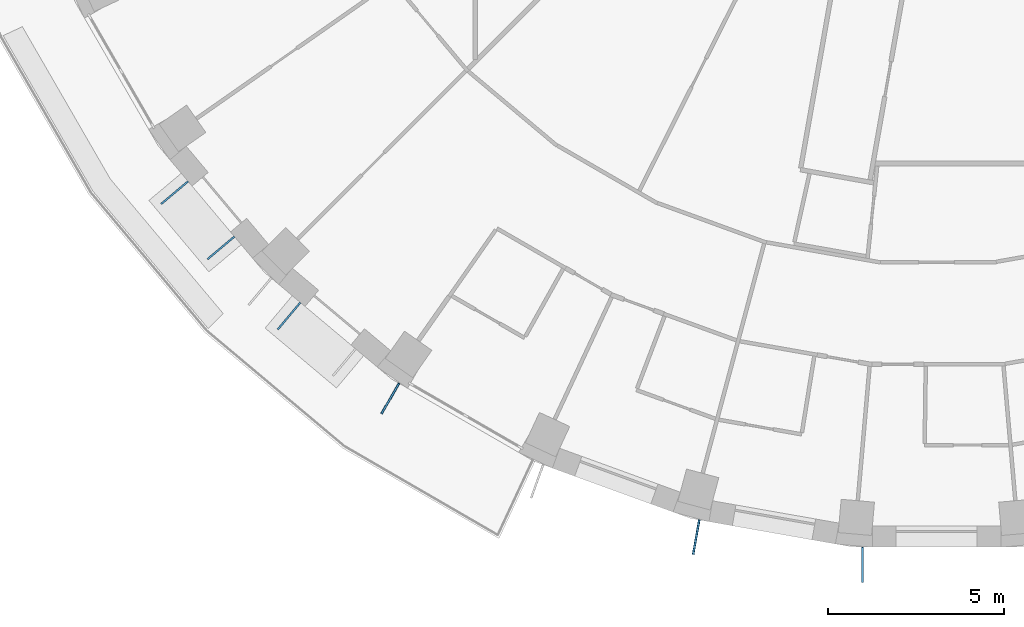
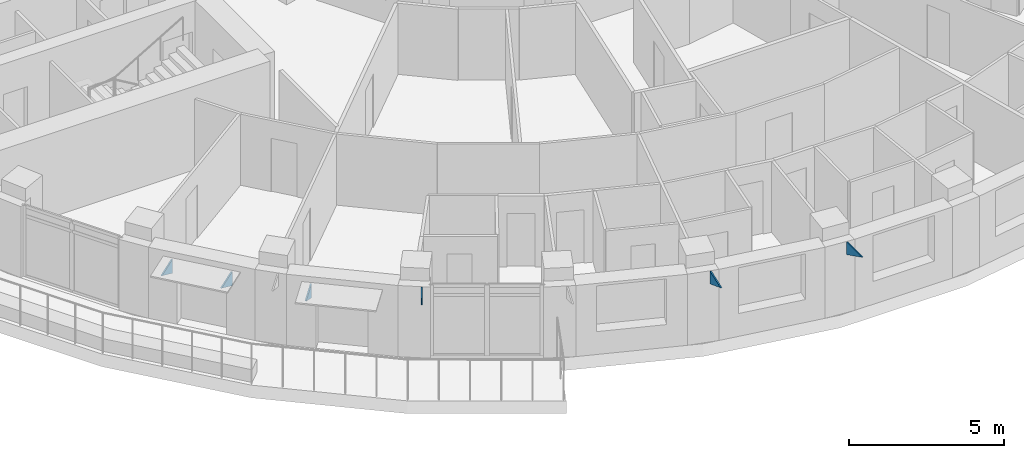
# One storey, part 15 of 16: 6 discrete accessories.
"""IFC4 building model written with IfcOpenShell, lengths in metres."""

from ifc_helpers import new_model, si_unit, direction, frame, origin, place, context, subcontext, project, spatial, polyline, outline, extrude, material, layer, layer_set, type_object, element, save


model = new_model("IFC4")

# Units and contexts
model_context = context("Model", 3, precision=1e-05, world=origin(), true_north=direction((0.0, 1.0)))
body_context = subcontext(model_context, "Body", "Model", "MODEL_VIEW")
ifc_project = project(units=[si_unit("LENGTHUNIT", "METRE"), si_unit("AREAUNIT", "SQUARE_METRE"), si_unit("VOLUMEUNIT", "CUBIC_METRE"), si_unit("PLANEANGLEUNIT", "RADIAN"), si_unit("MASSUNIT", "GRAM", prefix="KILO")], contexts=[model_context])

# Site, building, storey
site_placement = place(None, origin())
site = spatial("IfcSite", under=ifc_project, at=site_placement, CompositionType="ELEMENT")
building_placement = place(site_placement, origin())
building = spatial("IfcBuilding", under=site, at=building_placement, Name="Saqina Gate Tower", CompositionType="ELEMENT")
storey_placement = place(building_placement, frame((0.0, 0.0, 128.199951171875)))
storey = spatial("IfcBuildingStorey", under=building, at=storey_placement, Name="L36", CompositionType="ELEMENT", Elevation=128.199951171875)

# Discrete accessories
ifc_material_1 = material(Name="Galvanised steel", Category="steel")
ifc_layer_1 = layer(ifc_material_1, 0.050048828125)
ifc_layer_set_1 = layer_set([ifc_layer_1], Name="BR-AWNING")
discrete_accessory_type_1 = type_object("IfcDiscreteAccessoryType", Name="BR-AWNING", PredefinedType="BRACKET", material=ifc_layer_set_1)
discrete_accessory_1_placement = place(storey_placement, frame((-21.24658203125, -16.52392578125, 1.97509765625), z_axis=(0.64277405138, -0.766055819685, 0.0), x_axis=(0.0, 0.0, 1.0)))
element("IfcDiscreteAccessory", 1, at=discrete_accessory_1_placement, inside=storey, type_object=discrete_accessory_type_1, Name="Awning bracket L36 facet 22", PredefinedType="BRACKET", context=body_context, shape_type="SweptSolid", body=[
    extrude(outline(polyline([(0.0, 0.0), (0.550048828125, 0.0), (0.550048828125, 1.0000750096322273), (0.0, 0.0)])), origin(), (0.0, 0.0, -1.0), 0.050048828125),
])
discrete_accessory_2_placement = place(storey_placement, frame((-19.930419921875, -18.0927734375, 1.97509765625), z_axis=(0.642894271969, -0.765954930181, 0.0), x_axis=(0.0, 0.0, 1.0)))
element("IfcDiscreteAccessory", 2, at=discrete_accessory_2_placement, inside=storey, type_object=discrete_accessory_type_1, Name="Awning bracket L36 facet 22", PredefinedType="BRACKET", context=body_context, shape_type="SweptSolid", body=[
    extrude(outline(polyline([(0.0, 0.0), (0.550048828125, 0.0), (0.550048828125, 0.9998879966000863), (0.0, 0.0)])), origin(), (0.0, 0.0, -1.0), 0.050048828125),
])
discrete_accessory_3_placement = place(storey_placement, frame((-18.054443359375, -19.96240234375, 1.97509765625), z_axis=(0.766055819685, -0.64277405138, 0.0), x_axis=(0.0, 0.0, 1.0)))
element("IfcDiscreteAccessory", 3, at=discrete_accessory_3_placement, inside=storey, type_object=discrete_accessory_type_1, Name="Awning bracket L36 facet 23", PredefinedType="BRACKET", context=body_context, shape_type="SweptSolid", body=[
    extrude(outline(polyline([(0.0, 0.0), (0.550048828125, 0.0), (0.550048828125, 1.0000750096322273), (0.0, 0.0)])), origin(), (0.0, 0.0, -1.0), 0.050048828125),
])
ifc_material_2 = material(Name="Galvanised steel", Category="steel")
ifc_layer_2 = layer(ifc_material_2, 0.050048828125)
ifc_layer_set_2 = layer_set([ifc_layer_2], Name="BR-GUSSET")
discrete_accessory_type_2 = type_object("IfcDiscreteAccessoryType", Name="BR-GUSSET", PredefinedType="BRACKET", material=ifc_layer_set_2)
discrete_accessory_4_placement = place(storey_placement, frame((-15.248291015625, -22.254638671875, 2.300048828125), z_axis=(0.866010750942, -0.50002537861, 0.0), x_axis=(0.0, 0.0, 1.0)))
element("IfcDiscreteAccessory", 4, at=discrete_accessory_4_placement, inside=storey, type_object=discrete_accessory_type_2, Name="Terrace slab bracket L37 2", PredefinedType="BRACKET", context=body_context, shape_type="SweptSolid", body=[
    extrude(outline(polyline([(0.0, 0.0), (0.5, 0.0), (0.5, 0.9999492453569568), (0.0, 0.0)])), origin(), (0.0, 0.0, -1.0), 0.050048828125),
])
discrete_accessory_5_placement = place(storey_placement, frame((-6.71728515625, -26.127685546875, 2.300048828125), z_axis=(0.984820401928, -0.173576426815, 0.0), x_axis=(0.0, 0.0, 1.0)))
element("IfcDiscreteAccessory", 5, at=discrete_accessory_5_placement, inside=storey, type_object=discrete_accessory_type_2, Name="Terrace slab bracket L37 4", PredefinedType="BRACKET", context=body_context, shape_type="SweptSolid", body=[
    extrude(outline(polyline([(0.0, 0.0), (0.5, 0.0), (0.5, 1.000043540245132), (0.0, 0.0)])), origin(), (0.0, 0.0, -1.0), 0.050048828125),
])
discrete_accessory_6_placement = place(storey_placement, frame((-2.078125, -26.897216796875, 2.300048828125), z_axis=(1.0, 0.0, 0.0), x_axis=(0.0, 0.0, 1.0)))
element("IfcDiscreteAccessory", 6, at=discrete_accessory_6_placement, inside=storey, type_object=discrete_accessory_type_2, Name="Terrace slab bracket L37 5", PredefinedType="BRACKET", context=body_context, shape_type="SweptSolid", body=[
    extrude(outline(polyline([(0.0, 0.0), (0.5, 0.0), (0.5, 1.0), (0.0, 0.0)])), origin(), (0.0, 0.0, -1.0), 0.050048828125),
])

save(model, "model.ifc")
